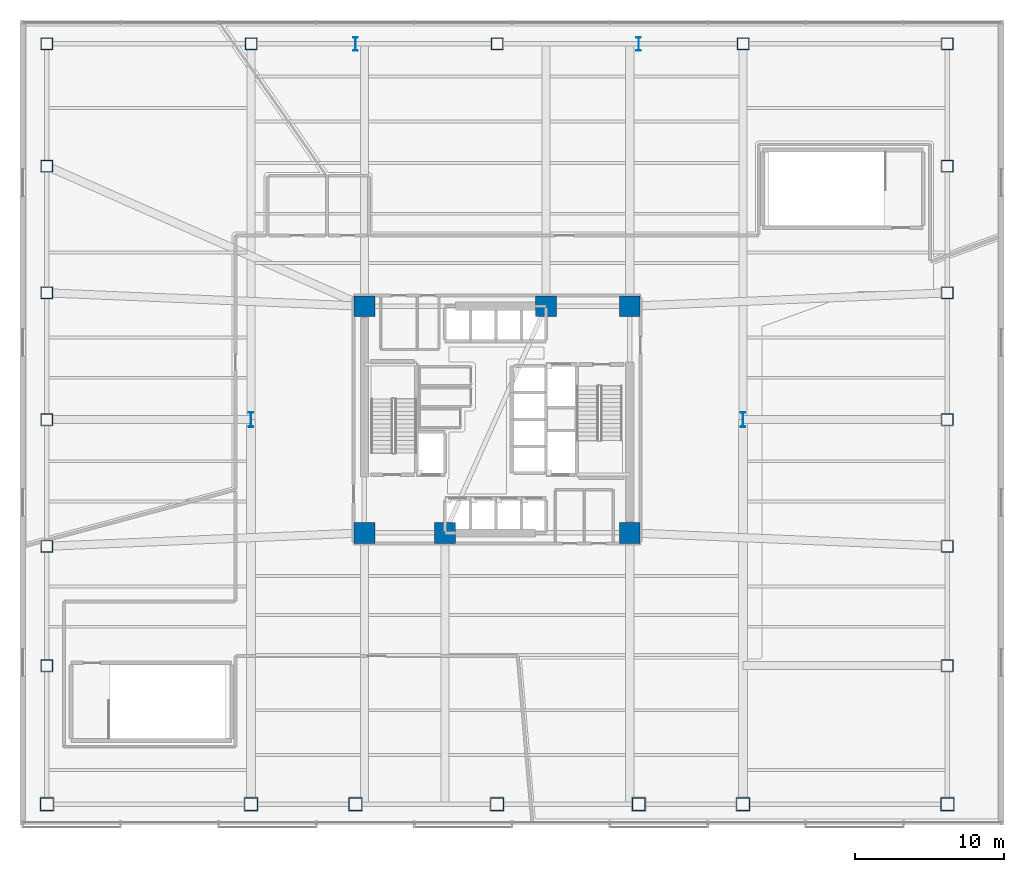
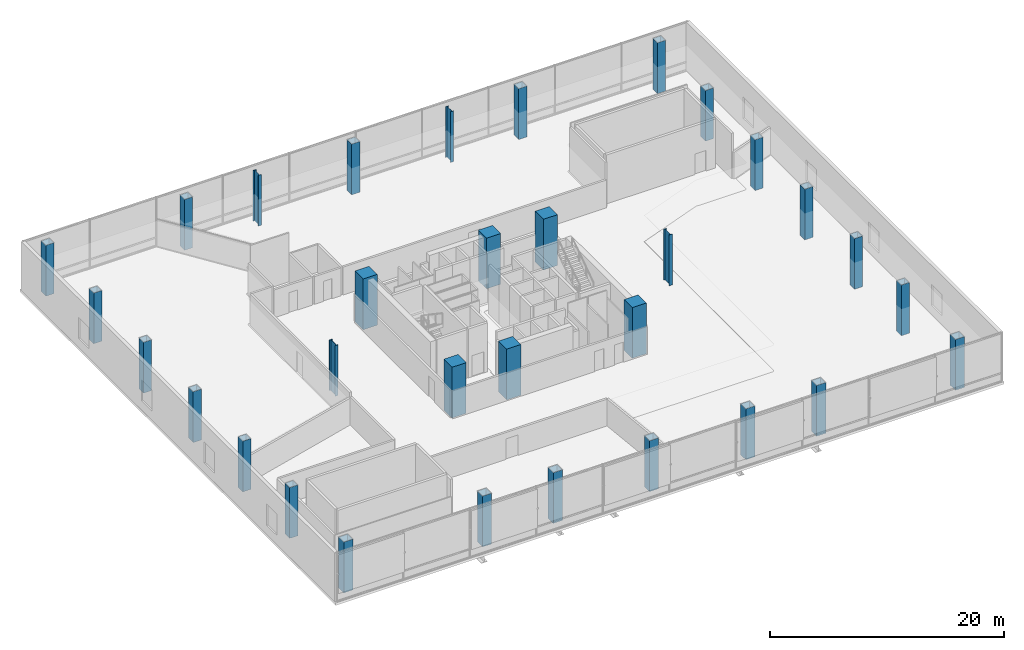
# One storey, part 1 of 19: 32 columns.
"""IFC4 building model written with IfcOpenShell, lengths in metres."""

import ifcopenshell
import ifcopenshell.guid

model = None  # the IFC model being written
_history = None  # IfcOwnerHistory: only IFC2X3 demands one
_inside = {}  # id of a spatial element -> (the spatial element, [elements in it])
_under = {}  # id of a project, library or spatial element -> (it, [spatial elements below it])
_declared = {}  # id of a project -> (the project, [libraries it declares])
_typed = {}  # id of a type object -> (the type object, [elements of that type])
_made_of = {}  # id of a material, layer set ... -> (it, [elements and type objects made of it])


def new_model(schema):
    """Start an empty IFC model of exactly this schema.

    Asked for "IFC4X3", IfcOpenShell would pick the latest addendum, in which some entities
    have other attributes; the version numbers below select the first issue.
    IFC2X3 requires an IfcOwnerHistory on every rooted entity: one is made here for all.
    """
    global model, _history
    if schema == "IFC4X3":
        model = ifcopenshell.file(schema_version=(4, 3, 0, 0))
    else:
        model = ifcopenshell.file(schema=schema)
    _inside.clear()
    _under.clear()
    _declared.clear()
    _typed.clear()
    _made_of.clear()
    _history = None
    if model.schema == "IFC2X3":
        org = make("IfcOrganization", Name="unknown")
        user = make(
            "IfcPersonAndOrganization",
            ThePerson=make("IfcPerson", FamilyName="unknown"),
            TheOrganization=org,
        )
        app = make(
            "IfcApplication",
            ApplicationDeveloper=org,
            Version="unknown",
            ApplicationFullName="unknown",
            ApplicationIdentifier="unknown",
        )
        _history = make(
            "IfcOwnerHistory",
            OwningUser=user,
            OwningApplication=app,
            ChangeAction="ADDED",
            CreationDate=0,
        )
    return model


def make(cls, **values):
    """One entity of the class cls with the attributes given. An attribute that is None is left unset."""
    return model.create_entity(
        cls, **{name: value for name, value in values.items() if value is not None}
    )


def rooted(cls, **values):
    """An entity with a GlobalId (a new one), such as an element, a storey or a relation."""
    return make(cls, GlobalId=ifcopenshell.guid.new(), OwnerHistory=_history, **values)


def si_unit(unit_type, name, prefix=None):
    """IfcSIUnit, for example si_unit("LENGTHUNIT", "METRE", prefix="MILLI")."""
    return make("IfcSIUnit", UnitType=unit_type, Prefix=prefix, Name=name)


def assignment(units):
    """IfcUnitAssignment: the units of a project."""
    return None if units is None else make("IfcUnitAssignment", Units=units)


def point(xyz):
    """IfcCartesianPoint."""
    return None if xyz is None else make("IfcCartesianPoint", Coordinates=xyz)


def direction(xyz):
    """IfcDirection."""
    return None if xyz is None else make("IfcDirection", DirectionRatios=xyz)


def frame(location, z_axis=None, x_axis=None):
    """IfcAxis2Placement3D, a coordinate frame: its origin and axes. An axis left out is left unset."""
    return make(
        "IfcAxis2Placement3D",
        Location=point(location),
        Axis=direction(z_axis),
        RefDirection=direction(x_axis),
    )


def frame_2d(location, x_axis=None):
    """IfcAxis2Placement2D, a coordinate frame in the plane: its origin and x axis."""
    return make(
        "IfcAxis2Placement2D", Location=point(location), RefDirection=direction(x_axis)
    )


def origin():
    """The frame at (0, 0, 0) with its axes left unset."""
    return frame((0.0, 0.0, 0.0))


def origin_2d():
    """The frame at (0, 0) in the plane with its x axis left unset."""
    return frame_2d((0.0, 0.0))


def place(relative_to, where):
    """IfcLocalPlacement: puts the frame where relative to a parent placement (None: the world)."""
    return make(
        "IfcLocalPlacement", PlacementRelTo=relative_to, RelativePlacement=where
    )


def context(
    kind, dimensions, precision=None, world=None, true_north=None, identifier=None
):
    """IfcGeometricRepresentationContext, for example the 3D "Model" context."""
    return make(
        "IfcGeometricRepresentationContext",
        ContextIdentifier=identifier,
        ContextType=kind,
        CoordinateSpaceDimension=dimensions,
        Precision=precision,
        WorldCoordinateSystem=world,
        TrueNorth=true_north,
    )


def subcontext(parent, identifier, kind, view, scale=None):
    """IfcGeometricRepresentationSubContext, for example "Body" below "Model"."""
    return make(
        "IfcGeometricRepresentationSubContext",
        ContextIdentifier=identifier,
        ContextType=kind,
        ParentContext=parent,
        TargetScale=scale,
        TargetView=view,
    )


def project(units=None, contexts=None):
    """IfcProject with its units and contexts."""
    return rooted(
        "IfcProject",
        Name="project",
        RepresentationContexts=contexts,
        UnitsInContext=assignment(units),
    )


def spatial(cls, under=None, at=None, **own):
    """A site, building, storey or space (cls), placed at a placement, below another one or the project."""
    s = rooted(cls, ObjectPlacement=at, **own)
    if under is not None:
        _under.setdefault(under.id(), (under, []))[1].append(s)
    return s


def profile(cls, at=None, kind="AREA", **sizes):
    """A parametric profile (cls). Its sizes go by their IFC names, for example OverallWidth=200.0."""
    return make(cls, ProfileType=kind, Position=at, **sizes)


def rectangle(**sizes):
    """IfcRectangleProfileDef."""
    return profile("IfcRectangleProfileDef", **sizes)


def hollow_rectangle(**sizes):
    """IfcRectangleHollowProfileDef."""
    return profile("IfcRectangleHollowProfileDef", **sizes)


def i_section(**sizes):
    """IfcIShapeProfileDef."""
    return profile("IfcIShapeProfileDef", **sizes)


def extrude(swept, where, along, depth):
    """IfcExtrudedAreaSolid: the profile swept, set in the frame where, extruded along a direction by depth."""
    return make(
        "IfcExtrudedAreaSolid",
        SweptArea=swept,
        Position=where,
        ExtrudedDirection=direction(along),
        Depth=depth,
    )


def shape(context_of_items, identifier, shape_type, items):
    """IfcShapeRepresentation: the items that make up one representation, for example the "Body"."""
    return make(
        "IfcShapeRepresentation",
        ContextOfItems=context_of_items,
        RepresentationIdentifier=identifier,
        RepresentationType=shape_type,
        Items=items,
    )


def material(Name=None, Category=None):
    """IfcMaterial."""
    return make("IfcMaterial", Name=Name, Category=Category)


def material_profile(
    of_material, cross_section, Name=None, Category=None, Priority=None
):
    """IfcMaterialProfile: a cross section and its material."""
    return make(
        "IfcMaterialProfile",
        Name=Name,
        Material=of_material,
        Profile=cross_section,
        Priority=Priority,
        Category=Category,
    )


def profile_set(profiles, Name=None, composite=None):
    """IfcMaterialProfileSet."""
    return make(
        "IfcMaterialProfileSet",
        Name=Name,
        MaterialProfiles=profiles,
        CompositeProfile=composite,
    )


def made_of(thing, what):
    """Note that an element or type object is made of a material, layer set ...; save() writes the relation."""
    if what is not None:
        _made_of.setdefault(what.id(), (what, []))[1].append(thing)
    return thing


def type_object(cls, material=None, **own):
    """A type object (cls), such as IfcWallType, which elements share."""
    return made_of(rooted(cls, **own), material)


def element(
    cls,
    number,
    at=None,
    inside=None,
    cuts=None,
    type_object=None,
    material=None,
    context=None,
    identifier="Body",
    shape_type=None,
    held_by="IfcProductDefinitionShape",
    body=None,
    shapes=None,
    **own,
):
    """One element of the class cls, such as IfcWall. Its Tag is "e" and its number.

    at: its placement. inside: the storey or other place that contains it. cuts: it is an
    opening in that element (IfcRelVoidsElement). A single representation is given by context,
    identifier, shape_type and body (its items); several are given by shapes. held_by: the class
    of the entity that holds the representations. save() writes the other relations.
    """
    e = rooted(cls, Tag="e%d" % number, ObjectPlacement=at, **own)
    if body is not None:
        shapes = [shape(context, identifier, shape_type, body)]
    if shapes is not None:
        e.Representation = make(held_by, Representations=shapes)
    if inside is not None:
        _inside.setdefault(inside.id(), (inside, []))[1].append(e)
    if cuts is not None:
        rooted(
            "IfcRelVoidsElement", RelatingBuildingElement=cuts, RelatedOpeningElement=e
        )
    if type_object is not None:
        _typed.setdefault(type_object.id(), (type_object, []))[1].append(e)
    return made_of(e, material)


def aggregate(whole, parts):
    """IfcRelAggregates: a whole, such as a stair, and the parts it consists of."""
    return rooted("IfcRelAggregates", RelatingObject=whole, RelatedObjects=parts)


def save(model, path):
    """Write the relations noted so far, then the file.

    IfcRelAggregates (storeys below a building ...), IfcRelContainedInSpatialStructure (elements
    in a storey), IfcRelDefinesByType, IfcRelAssociatesMaterial and IfcRelDeclares: one each for
    every whole, place, type object, material and project.
    """
    for whole, parts in _under.values():
        aggregate(whole, parts)
    for where, things in _inside.values():
        rooted(
            "IfcRelContainedInSpatialStructure",
            RelatedElements=things,
            RelatingStructure=where,
        )
    for kind, things in _typed.values():
        rooted("IfcRelDefinesByType", RelatedObjects=things, RelatingType=kind)
    for what, things in _made_of.values():
        rooted("IfcRelAssociatesMaterial", RelatedObjects=things, RelatingMaterial=what)
    for by, libraries in _declared.values():
        rooted("IfcRelDeclares", RelatingContext=by, RelatedDefinitions=libraries)
    model.write(path)


model = new_model("IFC4")

# Units and contexts
model_context = context("Model", 3, precision=1e-05, world=origin(), true_north=direction((0.0, 1.0)))
body_context = subcontext(model_context, "Body", "Model", "MODEL_VIEW")
ifc_project = project(units=[si_unit("LENGTHUNIT", "METRE"), si_unit("AREAUNIT", "SQUARE_METRE"), si_unit("VOLUMEUNIT", "CUBIC_METRE"), si_unit("PLANEANGLEUNIT", "RADIAN"), si_unit("MASSUNIT", "GRAM", prefix="KILO")], contexts=[model_context])

# Site, building, storey
site_placement = place(None, origin())
site = spatial("IfcSite", under=ifc_project, at=site_placement, CompositionType="ELEMENT")
building_placement = place(site_placement, origin())
building = spatial("IfcBuilding", under=site, at=building_placement, Name="Tharavind Bronze Gate", CompositionType="ELEMENT")
storey_placement = place(building_placement, frame((0.0, 0.0, 26.5)))
storey = spatial("IfcBuildingStorey", under=building, at=storey_placement, Name="L05", CompositionType="ELEMENT", Elevation=26.5)

# Columns
ifc_material_1 = material(Name="Concrete C70/85", Category="concrete")
ifc_material_profile_1 = material_profile(ifc_material_1, rectangle(XDim=1.39990234375, YDim=1.39990234375, at=origin_2d()), Name="RCCOL1400")
ifc_profile_set_1 = profile_set([ifc_material_profile_1], Name="Concrete C70/85")
column_type_1 = type_object("IfcColumnType", Name="MEGA CORE COLUMN 1400", PredefinedType="COLUMN", material=ifc_profile_set_1)
for number, where, z_axis, x_axis, name in (
    (1, (-8.89990234375, -7.60009765625, 0.0), (0.0, 0.0, 1.0), (1.0, 0.0, 0.0), "L05 core mega column MC1"),
    (2, (-3.5, -7.60009765625, 0.0), (0.0, 0.0, 1.0), (1.0, 0.0, 0.0), "L05 core mega column MC2"),
    (3, (8.89990234375, -7.60009765625, 0.0), (0.0, 0.0, 1.0), (1.0, 0.0, 0.0), "L05 core mega column MC3"),
    (4, (8.89990234375, 7.60009765625, 0.0), (0.0, 0.0, 1.0), (1.0, 0.0, 0.0), "L05 core mega column MC4"),
    (5, (3.280029296875, 7.60009765625, 0.0), (0.0, 0.0, 1.0), (1.0, 0.0, 0.0), "L05 core mega column MC5"),
    (6, (-8.89990234375, 7.60009765625, 0.0), (0.0, 0.0, 1.0), (1.0, 0.0, 0.0), "L05 core mega column MC6"),
):
    element("IfcColumn", number, at=place(storey_placement, frame(where, z_axis=z_axis, x_axis=x_axis)), inside=storey, type_object=column_type_1, Name=name, PredefinedType="COLUMN", context=body_context, shape_type="SweptSolid", body=[
        extrude(rectangle(XDim=1.39990234375, YDim=1.39990234375, at=origin_2d()), origin(), (0.0, 0.0, 1.0), 5.300048828125),
    ])
ifc_material_2 = material(Name="Steel S460", Category="steel")
ifc_material_profile_2 = material_profile(ifc_material_2, hollow_rectangle(XDim=0.800048828125, YDim=0.800048828125, WallThickness=0.044921875, at=origin_2d()), Name="SHS800X45")
ifc_profile_set_2 = profile_set([ifc_material_profile_2], Name="Steel S460")
column_type_2 = type_object("IfcColumnType", Name="PERIMETER BOX COLUMN SHS800", PredefinedType="COLUMN", material=ifc_profile_set_2)
for number, where, z_axis, x_axis, name in (
    (7, (-30.199951171875, 25.199951171875, 0.0), (0.0, 0.0, 1.0), (1.0, 0.0, 0.0), "L05 podium column PN10"),
    (8, (-16.5, 25.199951171875, 0.0), (0.0, 0.0, 1.0), (1.0, 0.0, 0.0), "L05 podium column PN24"),
    (9, (0.0, 25.199951171875, 0.0), (0.0, 0.0, 1.0), (1.0, 0.0, 0.0), "L05 podium column PN40"),
    (10, (16.5, 25.199951171875, 0.0), (0.0, 0.0, 1.0), (1.0, 0.0, 0.0), "L05 podium column PN56"),
    (11, (30.199951171875, 25.199951171875, 0.0), (0.0, 0.0, 1.0), (1.0, 0.0, 0.0), "L05 podium column PN70"),
    (12, (-30.199951171875, -16.5, 0.0), (0.0, 0.0, 1.0), (1.0, 0.0, 0.0), "L05 podium column PW14"),
    (13, (30.199951171875, -16.5, 0.0), (0.0, 0.0, 1.0), (1.0, 0.0, 0.0), "L05 podium column PE14"),
    (14, (-30.199951171875, -8.5, 0.0), (0.0, 0.0, 1.0), (1.0, 0.0, 0.0), "L05 podium column PW22"),
    (15, (30.199951171875, -8.5, 0.0), (0.0, 0.0, 1.0), (1.0, 0.0, 0.0), "L05 podium column PE22"),
    (16, (-30.199951171875, 0.0, 0.0), (0.0, 0.0, 1.0), (1.0, 0.0, 0.0), "L05 podium column PW30"),
    (17, (30.199951171875, 0.0, 0.0), (0.0, 0.0, 1.0), (1.0, 0.0, 0.0), "L05 podium column PE30"),
    (18, (-30.199951171875, 8.5, 0.0), (0.0, 0.0, 1.0), (1.0, 0.0, 0.0), "L05 podium column PW38"),
    (19, (30.199951171875, 8.5, 0.0), (0.0, 0.0, 1.0), (1.0, 0.0, 0.0), "L05 podium column PE38"),
    (20, (-30.199951171875, 17.0, 0.0), (0.0, 0.0, 1.0), (1.0, 0.0, 0.0), "L05 podium column PW47"),
    (21, (30.199951171875, 17.0, 0.0), (0.0, 0.0, 1.0), (1.0, 0.0, 0.0), "L05 podium column PE47"),
):
    element("IfcColumn", number, at=place(storey_placement, frame(where, z_axis=z_axis, x_axis=x_axis)), inside=storey, type_object=column_type_2, Name=name, PredefinedType="COLUMN", context=body_context, shape_type="SweptSolid", body=[
        extrude(hollow_rectangle(XDim=0.800048828125, YDim=0.800048828125, WallThickness=0.044921875, at=origin_2d()), origin(), (0.0, 0.0, 1.0), 5.300048828125),
    ])
ifc_material_profile_3 = material_profile(ifc_material_2, hollow_rectangle(XDim=0.89990234375, YDim=0.89990234375, WallThickness=0.050048828125, at=origin_2d()), Name="SHS900X50")
ifc_profile_set_3 = profile_set([ifc_material_profile_3], Name="Steel S460")
column_type_3 = type_object("IfcColumnType", Name="PERIMETER BOX COLUMN SHS900", PredefinedType="COLUMN", material=ifc_profile_set_3)
for number, where, z_axis, x_axis, name in (
    (22, (-30.199951171875, -25.800048828125, 0.0), (0.0, 0.0, 1.0), (1.0, 0.0, 0.0), "L05 podium column PS10"),
    (23, (-16.5, -25.800048828125, 0.0), (0.0, 0.0, 1.0), (1.0, 0.0, 0.0), "L05 podium column PS24"),
    (24, (-9.5, -25.800048828125, 0.0), (0.0, 0.0, 1.0), (1.0, 0.0, 0.0), "L05 podium column PS30"),
    (25, (0.0, -25.800048828125, 0.0), (0.0, 0.0, 1.0), (1.0, 0.0, 0.0), "L05 podium column PS40"),
    (26, (9.5, -25.800048828125, 0.0), (0.0, 0.0, 1.0), (1.0, 0.0, 0.0), "L05 podium column PS50"),
    (27, (16.5, -25.800048828125, 0.0), (0.0, 0.0, 1.0), (1.0, 0.0, 0.0), "L05 podium column PS56"),
    (28, (30.199951171875, -25.800048828125, 0.0), (0.0, 0.0, 1.0), (1.0, 0.0, 0.0), "L05 podium column PS70"),
):
    element("IfcColumn", number, at=place(storey_placement, frame(where, z_axis=z_axis, x_axis=x_axis)), inside=storey, type_object=column_type_3, Name=name, PredefinedType="COLUMN", context=body_context, shape_type="SweptSolid", body=[
        extrude(hollow_rectangle(XDim=0.89990234375, YDim=0.89990234375, WallThickness=0.050048828125, at=origin_2d()), origin(), (0.0, 0.0, 1.0), 5.300048828125),
    ])
ifc_material_profile_4 = material_profile(ifc_material_2, i_section(OverallWidth=0.302001953125, OverallDepth=1.008056640625, WebThickness=0.02099609375, FlangeThickness=0.0400390625, at=origin_2d()), Name="HE1000M")
ifc_profile_set_4 = profile_set([ifc_material_profile_4], Name="Steel S460")
column_type_4 = type_object("IfcColumnType", Name="PODIUM HALL COLUMN HE1000M", PredefinedType="COLUMN", material=ifc_profile_set_4)
for number, where, z_axis, x_axis, name in (
    (29, (-16.5, 0.0, 0.0), (0.0, 0.0, 1.0), (1.0, 0.0, 0.0), "L05 podium column PMW0"),
    (30, (16.5, 0.0, 0.0), (0.0, 0.0, 1.0), (1.0, 0.0, 0.0), "L05 podium column PME0"),
):
    element("IfcColumn", number, at=place(storey_placement, frame(where, z_axis=z_axis, x_axis=x_axis)), inside=storey, type_object=column_type_4, Name=name, PredefinedType="COLUMN", context=body_context, shape_type="SweptSolid", body=[
        extrude(i_section(OverallWidth=0.302001953125, OverallDepth=1.008056640625, WebThickness=0.02099609375, FlangeThickness=0.0400390625, at=origin_2d()), origin(), (0.0, 0.0, 1.0), 5.300048828125),
    ])
ifc_material_profile_5 = material_profile(ifc_material_2, i_section(OverallWidth=0.300048828125, OverallDepth=0.89990234375, WebThickness=0.0185546875, FlangeThickness=0.034912109375, at=origin_2d()), Name="HE900B")
ifc_profile_set_5 = profile_set([ifc_material_profile_5], Name="Steel S460")
column_type_5 = type_object("IfcColumnType", Name="PODIUM HALL COLUMN HE900B", PredefinedType="COLUMN", material=ifc_profile_set_5)
for number, where, z_axis, x_axis, name in (
    (31, (-9.5, 25.199951171875, 0.0), (0.0, 0.0, 1.0), (1.0, 0.0, 0.0), "L05 podium column PN30"),
    (32, (9.5, 25.199951171875, 0.0), (0.0, 0.0, 1.0), (1.0, 0.0, 0.0), "L05 podium column PN50"),
):
    element("IfcColumn", number, at=place(storey_placement, frame(where, z_axis=z_axis, x_axis=x_axis)), inside=storey, type_object=column_type_5, Name=name, PredefinedType="COLUMN", context=body_context, shape_type="SweptSolid", body=[
        extrude(i_section(OverallWidth=0.300048828125, OverallDepth=0.89990234375, WebThickness=0.0185546875, FlangeThickness=0.034912109375, at=origin_2d()), origin(), (0.0, 0.0, 1.0), 5.300048828125),
    ])

save(model, "model.ifc")
